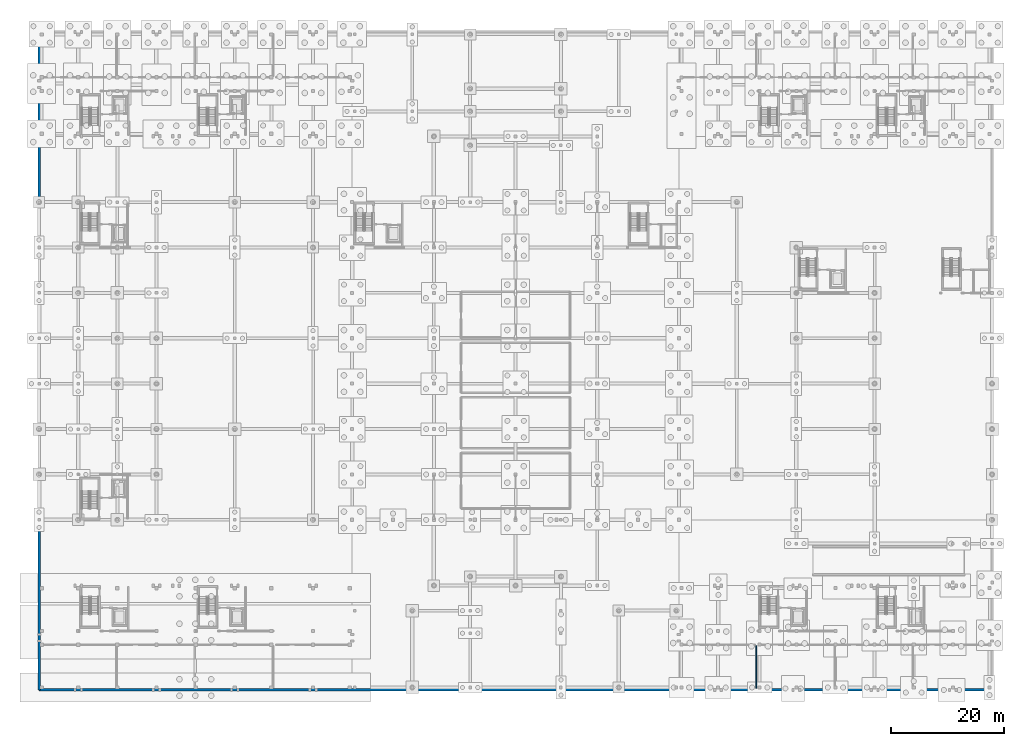
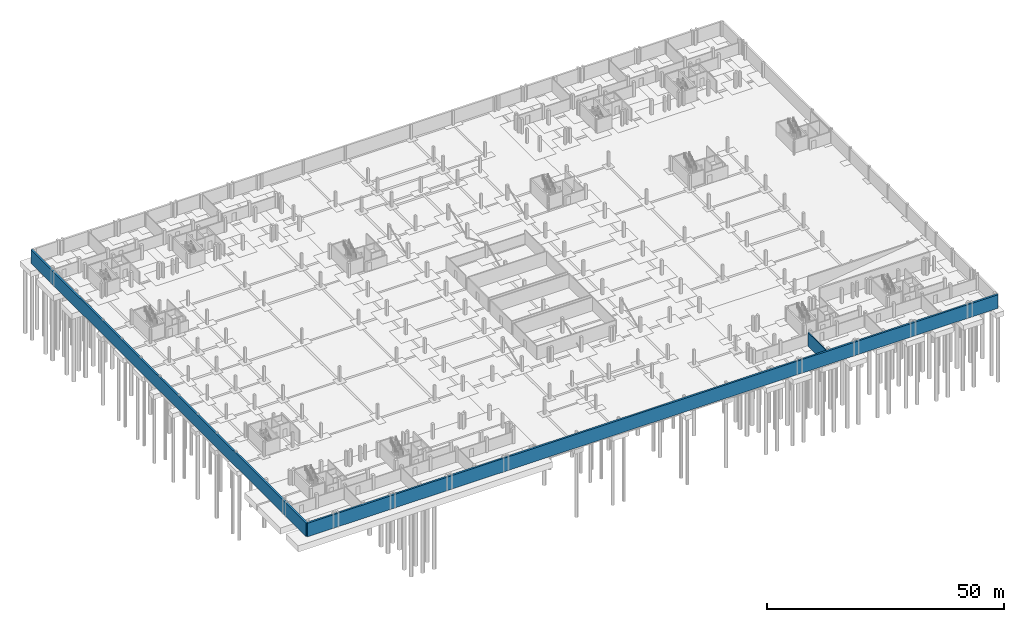
# One storey, part 19 of 38: 3 walls.
"""IFC4 building model written with IfcOpenShell, lengths in metres."""

from ifc_helpers import new_model, si_unit, direction, frame, frame_2d, origin, origin_with_axes, place, context, subcontext, project, spatial, rectangle, extrude, material, layer, layer_set, type_object, element, save


model = new_model("IFC4")

# Units and contexts
model_context = context("Model", 3, precision=1e-05, world=origin(), true_north=direction((0.0, 1.0)))
body_context = subcontext(model_context, "Body", "Model", "MODEL_VIEW")
ifc_project = project(units=[si_unit("LENGTHUNIT", "METRE"), si_unit("AREAUNIT", "SQUARE_METRE"), si_unit("VOLUMEUNIT", "CUBIC_METRE"), si_unit("PLANEANGLEUNIT", "RADIAN"), si_unit("MASSUNIT", "GRAM", prefix="KILO")], contexts=[model_context])

# Site, building, storey
site_placement = place(None, origin())
site = spatial("IfcSite", under=ifc_project, at=site_placement, CompositionType="ELEMENT")
building_placement = place(site_placement, origin())
building = spatial("IfcBuilding", under=site, at=building_placement, Name="Zavelmont Quarter", CompositionType="ELEMENT")
storey_placement = place(building_placement, frame((0.0, 0.0, -3.800048828125)))
storey = spatial("IfcBuildingStorey", under=building, at=storey_placement, Name="B01", CompositionType="ELEMENT", Elevation=-3.800048828125)

# Walls
ifc_material_1 = material(Name="Concrete C35/45", Category="concrete")
ifc_layer_1 = layer(ifc_material_1, 0.449951171875)
ifc_layer_set_1 = layer_set([ifc_layer_1], Name="Concrete C35/45")
wall_type_1 = type_object("IfcWallType", Name="BW01", PredefinedType="STANDARD", material=ifc_layer_set_1)
wall_1_placement = place(storey_placement, origin_with_axes())
element("IfcWall", 1, at=wall_1_placement, inside=storey, type_object=wall_type_1, Name="B01 exterior limestone wall BW01", PredefinedType="STANDARD", context=body_context, shape_type="SweptSolid", body=[
    extrude(rectangle(XDim=168.0, YDim=0.449951171875, at=frame_2d((84.0, 0.0))), origin(), (0.0, 0.0, 1.0), 3.47998046875),
])
wall_2_placement = place(storey_placement, frame((0.0, 116.0, 0.0), z_axis=(0.0, 0.0, 1.0), x_axis=(0.0, -1.0, 0.0)))
element("IfcWall", 2, at=wall_2_placement, inside=storey, type_object=wall_type_1, Name="B01 exterior limestone wall BW01", PredefinedType="STANDARD", context=body_context, shape_type="SweptSolid", body=[
    extrude(rectangle(XDim=116.0, YDim=0.449951171875, at=frame_2d((58.0, 0.0))), origin(), (0.0, 0.0, 1.0), 3.47998046875),
])
ifc_material_2 = material(Name="Calcium-silicate blockwork and acoustic plaster", Category="masonry")
ifc_layer_2 = layer(ifc_material_2, 0.199951171875)
ifc_layer_set_2 = layer_set([ifc_layer_2], Name="Calcium-silicate blockwork and acoustic plaster")
wall_type_2 = type_object("IfcWallType", Name="IW01", PredefinedType="PARTITIONING", material=ifc_layer_set_2)
wall_3_placement = place(storey_placement, frame((126.449951171875, 0.300048828125, 0.0), z_axis=(0.0, 0.0, 1.0), x_axis=(0.0, 1.0, 0.0)))
element("IfcWall", 3, at=wall_3_placement, inside=storey, type_object=wall_type_2, Name="B01 Interior partition IW01", PredefinedType="PARTITIONING", context=body_context, shape_type="SweptSolid", body=[
    extrude(rectangle(XDim=7.5, YDim=0.199951171875, at=frame_2d((3.75, 0.0))), origin(), (0.0, 0.0, 1.0), 3.47998046875),
])

save(model, "model.ifc")
